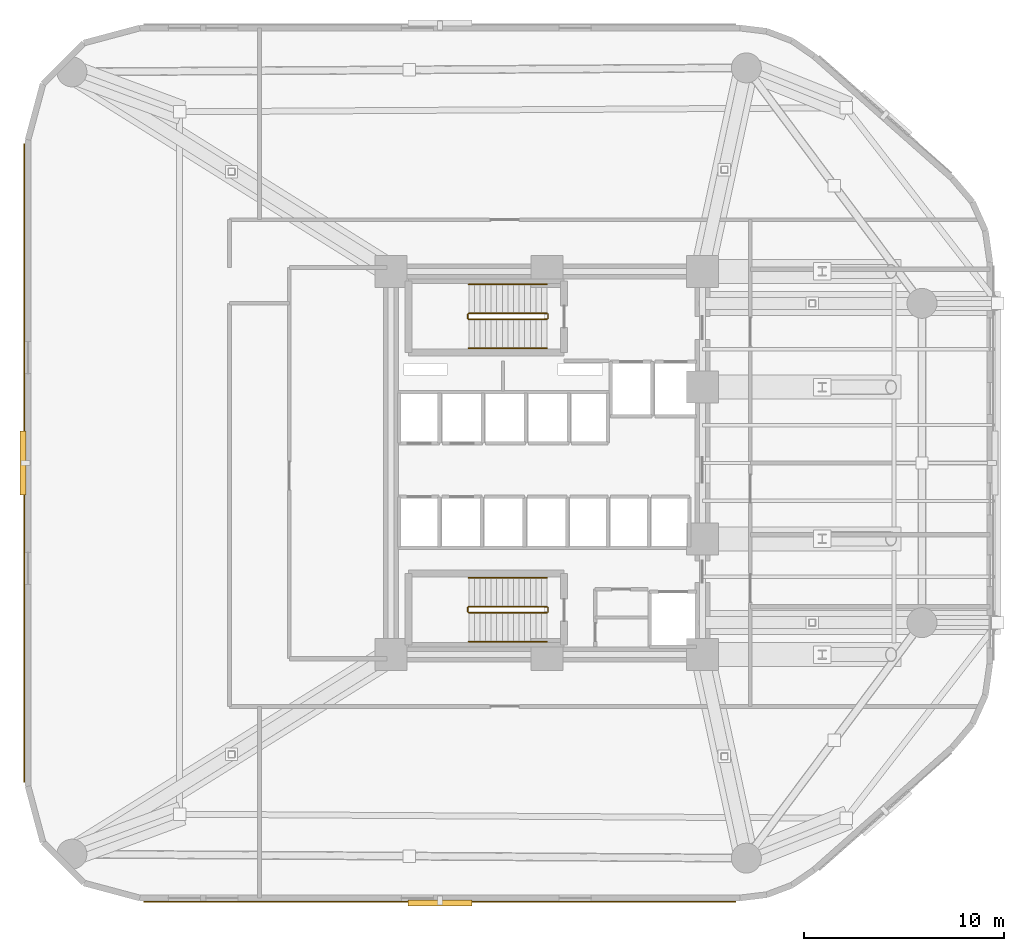
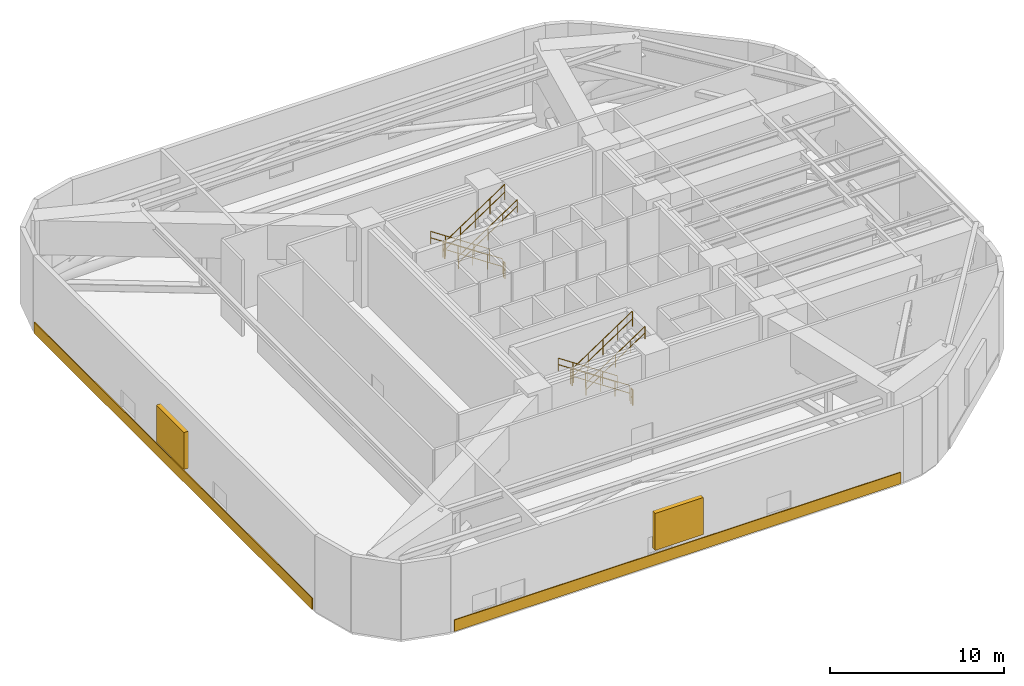
# One storey, part 10 of 11: 12 railings, 2 coverings, 2 shading devices.
"""IFC4 building model written with IfcOpenShell, lengths in metres."""

from ifc_helpers import new_model, si_unit, direction, frame, origin, origin_2d, place, context, subcontext, project, spatial, rectangle, circle, extrude, material, layer, layer_set, type_object, element, save


model = new_model("IFC4")

# Units and contexts
model_context = context("Model", 3, precision=1e-05, world=origin(), true_north=direction((0.0, 1.0)))
body_context = subcontext(model_context, "Body", "Model", "MODEL_VIEW")
ifc_project = project(units=[si_unit("LENGTHUNIT", "METRE"), si_unit("AREAUNIT", "SQUARE_METRE"), si_unit("VOLUMEUNIT", "CUBIC_METRE"), si_unit("PLANEANGLEUNIT", "RADIAN"), si_unit("MASSUNIT", "GRAM", prefix="KILO")], contexts=[model_context])

# Site, building, storey
site_placement = place(None, origin())
site = spatial("IfcSite", under=ifc_project, at=site_placement, CompositionType="ELEMENT")
building_placement = place(site_placement, origin())
building = spatial("IfcBuilding", under=site, at=building_placement, Name="An Khanh Terracotta Commons", CompositionType="ELEMENT")
storey_placement = place(building_placement, frame((0.0, 0.0, 75.60009765625)))
storey = spatial("IfcBuildingStorey", under=building, at=storey_placement, Name="L20", CompositionType="ELEMENT", Elevation=75.60009765625)

# Shading devices
ifc_material_1 = material(Name="Anodised Aluminium 6063-T6", Category="aluminium")
shading_device_type = type_object("IfcShadingDeviceType", Name="Acoustic Plant Weather Louvre", PredefinedType="USERDEFINED", material=ifc_material_1)
for number, where, z_axis, x_axis, name in (
    (1, (24.0400390625, 1.949951171875, 1.199951171875), (0.0, 0.0, 1.0), (1.0, 0.0, 0.0), "L20 Refuge Acoustic Louvre 4"),
    (2, (3.14990234375, 24.0, 1.199951171875), (0.0, 0.0, 1.0), (0.0, -1.0, 0.0), "L20 Refuge Acoustic Louvre 24"),
):
    element("IfcShadingDevice", number, at=place(storey_placement, frame(where, z_axis=z_axis, x_axis=x_axis)), inside=storey, type_object=shading_device_type, Name=name, ObjectType="LOUVRE", PredefinedType="USERDEFINED", context=body_context, shape_type="SweptSolid", body=[
        extrude(rectangle(XDim=3.199951171875, YDim=0.300048828125, at=origin_2d()), origin(), (0.0, 0.0, 1.0), 2.60009765625),
    ])

# Coverings
ifc_material_2 = material(Name="Fired Terracotta Rainscreen Cladding", Category="masonry")
ifc_layer = layer(ifc_material_2, 0.06005859375, Name="Fired Terracotta Rainscreen Cladding")
ifc_layer_set = layer_set([ifc_layer], Name="Fired Terracotta Rainscreen Cladding")
covering_type = type_object("IfcCoveringType", Name="COV-SPANDREL-TERRA", PredefinedType="CLADDING", material=ifc_layer_set)
covering_1_placement = place(storey_placement, frame((24.0400390625, 2.02001953125, 0.02001953125), z_axis=(0.0, 0.0, 1.0), x_axis=(1.0, 0.0, 0.0)))
element("IfcCovering", 3, at=covering_1_placement, inside=storey, type_object=covering_type, Name="L20 Terracotta Spandrel Cladding 4", PredefinedType="CLADDING", context=body_context, shape_type="SweptSolid", body=[
    extrude(rectangle(XDim=29.678955078125, YDim=0.06005859375, at=origin_2d()), origin(), (0.0, 0.0, 1.0), 0.800048828125),
])
covering_2_placement = place(storey_placement, frame((3.219970703125, 24.0, 0.02001953125), z_axis=(0.0, 0.0, 1.0), x_axis=(0.0, -1.0, 0.0)))
element("IfcCovering", 4, at=covering_2_placement, inside=storey, type_object=covering_type, Name="L20 Terracotta Spandrel Cladding 24", PredefinedType="CLADDING", context=body_context, shape_type="SweptSolid", body=[
    extrude(rectangle(XDim=32.0, YDim=0.06005859375, at=origin_2d()), origin(), (0.0, 0.0, 1.0), 0.800048828125),
])

# Railings
ifc_material_3 = material(Name="Brushed Stainless Steel 316", Category="steel")
railing_type_1 = type_object("IfcRailingType", Name="RAIL-HANDRAIL-900", PredefinedType="HANDRAIL", material=ifc_material_3)
railing_1_placement = place(storey_placement, frame((29.409912109375, 32.949951171875, 0.1865234375)))
element("IfcRailing", 5, at=railing_1_placement, inside=storey, type_object=railing_type_1, Name="L20 ST-01 stair handrail 1", PredefinedType="HANDRAIL", context=body_context, shape_type="SweptSolid", body=[
    extrude(circle(Radius=0.02392578125, at=origin_2d()), frame((0.0, 0.0, 0.8759765625), z_axis=(-0.832050294338, 0.0, 0.554700196225), x_axis=(0.0, -1.0, 0.0)), (0.0, 0.0, 1.0), 4.711181640625),
    extrude(circle(Radius=0.02392578125, at=origin_2d()), frame((0.0, 0.0, 0.42578125), z_axis=(-0.832050294338, 0.0, 0.554700196225), x_axis=(0.0, -1.0, 0.0)), (0.0, 0.0, 1.0), 4.711181640625),
    extrude(circle(Radius=0.02099609375, at=origin_2d()), origin(), (0.0, 0.0, 1.0), 0.851806640625),
    extrude(circle(Radius=0.02099609375, at=origin_2d()), frame((-0.97998046875, 0.0, 0.6533203125)), (0.0, 0.0, 1.0), 0.851806640625),
    extrude(circle(Radius=0.02099609375, at=origin_2d()), frame((-1.9599609375, 0.0, 1.306640625)), (0.0, 0.0, 1.0), 0.851806640625),
    extrude(circle(Radius=0.02099609375, at=origin_2d()), frame((-2.93994140625, 0.0, 1.9599609375)), (0.0, 0.0, 1.0), 0.851806640625),
    extrude(circle(Radius=0.02099609375, at=origin_2d()), frame((-3.919921875, 0.0, 2.61328125)), (0.0, 0.0, 1.0), 0.851806640625),
])
railing_2_placement = place(storey_placement, frame((25.489990234375, 29.75, 2.986572265625)))
element("IfcRailing", 6, at=railing_2_placement, inside=storey, type_object=railing_type_1, Name="L20 ST-01 stair handrail 2", PredefinedType="HANDRAIL", context=body_context, shape_type="SweptSolid", body=[
    extrude(circle(Radius=0.02392578125, at=origin_2d()), frame((0.0, 0.0, 0.8759765625), z_axis=(0.832050294338, 0.0, 0.554700196225), x_axis=(0.0, 1.0, 0.0)), (0.0, 0.0, 1.0), 4.711181640625),
    extrude(circle(Radius=0.02392578125, at=origin_2d()), frame((0.0, 0.0, 0.42578125), z_axis=(0.832050294338, 0.0, 0.554700196225), x_axis=(0.0, 1.0, 0.0)), (0.0, 0.0, 1.0), 4.711181640625),
    extrude(circle(Radius=0.02099609375, at=origin_2d()), origin(), (0.0, 0.0, 1.0), 0.851806640625),
    extrude(circle(Radius=0.02099609375, at=origin_2d()), frame((0.97998046875, 0.0, 0.6533203125)), (0.0, 0.0, 1.0), 0.851806640625),
    extrude(circle(Radius=0.02099609375, at=origin_2d()), frame((1.9599609375, 0.0, 1.306640625)), (0.0, 0.0, 1.0), 0.851806640625),
    extrude(circle(Radius=0.02099609375, at=origin_2d()), frame((2.93994140625, 0.0, 1.9599609375)), (0.0, 0.0, 1.0), 0.851806640625),
    extrude(circle(Radius=0.02099609375, at=origin_2d()), frame((3.919921875, 0.0, 2.61328125)), (0.0, 0.0, 1.0), 0.851806640625),
])
railing_3_placement = place(storey_placement, frame((29.409912109375, 18.25, 0.1865234375)))
element("IfcRailing", 7, at=railing_3_placement, inside=storey, type_object=railing_type_1, Name="L20 ST-02 stair handrail 1", PredefinedType="HANDRAIL", context=body_context, shape_type="SweptSolid", body=[
    extrude(circle(Radius=0.02392578125, at=origin_2d()), frame((0.0, 0.0, 0.8759765625), z_axis=(-0.832050294338, 0.0, 0.554700196225), x_axis=(0.0, -1.0, 0.0)), (0.0, 0.0, 1.0), 4.711181640625),
    extrude(circle(Radius=0.02392578125, at=origin_2d()), frame((0.0, 0.0, 0.42578125), z_axis=(-0.832050294338, 0.0, 0.554700196225), x_axis=(0.0, -1.0, 0.0)), (0.0, 0.0, 1.0), 4.711181640625),
    extrude(circle(Radius=0.02099609375, at=origin_2d()), origin(), (0.0, 0.0, 1.0), 0.851806640625),
    extrude(circle(Radius=0.02099609375, at=origin_2d()), frame((-0.97998046875, 0.0, 0.6533203125)), (0.0, 0.0, 1.0), 0.851806640625),
    extrude(circle(Radius=0.02099609375, at=origin_2d()), frame((-1.9599609375, 0.0, 1.306640625)), (0.0, 0.0, 1.0), 0.851806640625),
    extrude(circle(Radius=0.02099609375, at=origin_2d()), frame((-2.93994140625, 0.0, 1.9599609375)), (0.0, 0.0, 1.0), 0.851806640625),
    extrude(circle(Radius=0.02099609375, at=origin_2d()), frame((-3.919921875, 0.0, 2.61328125)), (0.0, 0.0, 1.0), 0.851806640625),
])
railing_4_placement = place(storey_placement, frame((25.489990234375, 15.050048828125, 2.986572265625)))
element("IfcRailing", 8, at=railing_4_placement, inside=storey, type_object=railing_type_1, Name="L20 ST-02 stair handrail 2", PredefinedType="HANDRAIL", context=body_context, shape_type="SweptSolid", body=[
    extrude(circle(Radius=0.02392578125, at=origin_2d()), frame((0.0, 0.0, 0.8759765625), z_axis=(0.832050294338, 0.0, 0.554700196225), x_axis=(0.0, 1.0, 0.0)), (0.0, 0.0, 1.0), 4.711181640625),
    extrude(circle(Radius=0.02392578125, at=origin_2d()), frame((0.0, 0.0, 0.42578125), z_axis=(0.832050294338, 0.0, 0.554700196225), x_axis=(0.0, 1.0, 0.0)), (0.0, 0.0, 1.0), 4.711181640625),
    extrude(circle(Radius=0.02099609375, at=origin_2d()), origin(), (0.0, 0.0, 1.0), 0.851806640625),
    extrude(circle(Radius=0.02099609375, at=origin_2d()), frame((0.97998046875, 0.0, 0.6533203125)), (0.0, 0.0, 1.0), 0.851806640625),
    extrude(circle(Radius=0.02099609375, at=origin_2d()), frame((1.9599609375, 0.0, 1.306640625)), (0.0, 0.0, 1.0), 0.851806640625),
    extrude(circle(Radius=0.02099609375, at=origin_2d()), frame((2.93994140625, 0.0, 1.9599609375)), (0.0, 0.0, 1.0), 0.851806640625),
    extrude(circle(Radius=0.02099609375, at=origin_2d()), frame((3.919921875, 0.0, 2.61328125)), (0.0, 0.0, 1.0), 0.851806640625),
])
ifc_material_4 = material(Name="Powder-Coated Steel S355J2", Category="steel")
railing_type_2 = type_object("IfcRailingType", Name="RAIL-STAIR-GUARD-1100", PredefinedType="BALUSTRADE", material=ifc_material_4)
railing_5_placement = place(storey_placement, frame((29.409912109375, 31.5, 0.1865234375)))
element("IfcRailing", 9, at=railing_5_placement, inside=storey, type_object=railing_type_2, Name="L20 ST-01 stair guard 1", PredefinedType="BALUSTRADE", context=body_context, shape_type="SweptSolid", body=[
    extrude(circle(Radius=0.02392578125, at=origin_2d()), frame((0.0, 0.0, 1.076171875), z_axis=(-0.832050294338, 0.0, 0.554700196225), x_axis=(0.0, -1.0, 0.0)), (0.0, 0.0, 1.0), 4.711181640625),
    extrude(circle(Radius=0.02392578125, at=origin_2d()), frame((0.0, 0.0, 0.52587890625), z_axis=(-0.832050294338, 0.0, 0.554700196225), x_axis=(0.0, -1.0, 0.0)), (0.0, 0.0, 1.0), 4.711181640625),
    extrude(circle(Radius=0.02099609375, at=origin_2d()), origin(), (0.0, 0.0, 1.0), 1.052001953125),
    extrude(circle(Radius=0.02099609375, at=origin_2d()), frame((-0.97998046875, 0.0, 0.6533203125)), (0.0, 0.0, 1.0), 1.052001953125),
    extrude(circle(Radius=0.02099609375, at=origin_2d()), frame((-1.9599609375, 0.0, 1.306640625)), (0.0, 0.0, 1.0), 1.052001953125),
    extrude(circle(Radius=0.02099609375, at=origin_2d()), frame((-2.93994140625, 0.0, 1.9599609375)), (0.0, 0.0, 1.0), 1.052001953125),
    extrude(circle(Radius=0.02099609375, at=origin_2d()), frame((-3.919921875, 0.0, 2.61328125)), (0.0, 0.0, 1.0), 1.052001953125),
])
railing_6_placement = place(storey_placement, frame((25.43994140625, 31.449951171875, 2.7998046875)))
element("IfcRailing", 10, at=railing_6_placement, inside=storey, type_object=railing_type_2, Name="L20 ST-01 stair guard 2", PredefinedType="BALUSTRADE", context=body_context, shape_type="SweptSolid", body=[
    extrude(circle(Radius=0.02392578125, at=origin_2d()), frame((0.0, 0.0, 1.076171875), z_axis=(0.0, -1.0, 0.0), x_axis=(1.0, 0.0, 0.0)), (0.0, 0.0, 1.0), 0.199951171875),
    extrude(circle(Radius=0.02392578125, at=origin_2d()), frame((0.0, 0.0, 0.52587890625), z_axis=(0.0, -1.0, 0.0), x_axis=(1.0, 0.0, 0.0)), (0.0, 0.0, 1.0), 0.199951171875),
    extrude(circle(Radius=0.02099609375, at=origin_2d()), origin(), (0.0, 0.0, 1.0), 1.052001953125),
    extrude(circle(Radius=0.02099609375, at=origin_2d()), frame((0.0, -0.199951171875, 0.0)), (0.0, 0.0, 1.0), 1.052001953125),
])
railing_7_placement = place(storey_placement, frame((25.489990234375, 31.199951171875, 2.986572265625)))
element("IfcRailing", 11, at=railing_7_placement, inside=storey, type_object=railing_type_2, Name="L20 ST-01 stair guard 3", PredefinedType="BALUSTRADE", context=body_context, shape_type="SweptSolid", body=[
    extrude(circle(Radius=0.02392578125, at=origin_2d()), frame((0.0, 0.0, 1.076171875), z_axis=(0.832050294338, 0.0, 0.554700196225), x_axis=(0.0, 1.0, 0.0)), (0.0, 0.0, 1.0), 4.711181640625),
    extrude(circle(Radius=0.02392578125, at=origin_2d()), frame((0.0, 0.0, 0.52587890625), z_axis=(0.832050294338, 0.0, 0.554700196225), x_axis=(0.0, 1.0, 0.0)), (0.0, 0.0, 1.0), 4.711181640625),
    extrude(circle(Radius=0.02099609375, at=origin_2d()), origin(), (0.0, 0.0, 1.0), 1.052001953125),
    extrude(circle(Radius=0.02099609375, at=origin_2d()), frame((0.97998046875, 0.0, 0.6533203125)), (0.0, 0.0, 1.0), 1.052001953125),
    extrude(circle(Radius=0.02099609375, at=origin_2d()), frame((1.9599609375, 0.0, 1.306640625)), (0.0, 0.0, 1.0), 1.052001953125),
    extrude(circle(Radius=0.02099609375, at=origin_2d()), frame((2.93994140625, 0.0, 1.9599609375)), (0.0, 0.0, 1.0), 1.052001953125),
    extrude(circle(Radius=0.02099609375, at=origin_2d()), frame((3.919921875, 0.0, 2.61328125)), (0.0, 0.0, 1.0), 1.052001953125),
])
railing_8_placement = place(storey_placement, frame((29.4599609375, 31.449951171875, 0.0)))
element("IfcRailing", 12, at=railing_8_placement, inside=storey, type_object=railing_type_2, Name="L20 ST-01 stair guard 4", PredefinedType="BALUSTRADE", context=body_context, shape_type="SweptSolid", body=[
    extrude(circle(Radius=0.02392578125, at=origin_2d()), frame((0.0, 0.0, 1.076171875), z_axis=(0.0, -1.0, 0.0), x_axis=(1.0, 0.0, 0.0)), (0.0, 0.0, 1.0), 0.199951171875),
    extrude(circle(Radius=0.02392578125, at=origin_2d()), frame((0.0, 0.0, 0.52587890625), z_axis=(0.0, -1.0, 0.0), x_axis=(1.0, 0.0, 0.0)), (0.0, 0.0, 1.0), 0.199951171875),
    extrude(circle(Radius=0.02099609375, at=origin_2d()), origin(), (0.0, 0.0, 1.0), 1.052001953125),
    extrude(circle(Radius=0.02099609375, at=origin_2d()), frame((0.0, -0.199951171875, 0.0)), (0.0, 0.0, 1.0), 1.052001953125),
])
railing_9_placement = place(storey_placement, frame((29.409912109375, 16.800048828125, 0.1865234375)))
element("IfcRailing", 13, at=railing_9_placement, inside=storey, type_object=railing_type_2, Name="L20 ST-02 stair guard 1", PredefinedType="BALUSTRADE", context=body_context, shape_type="SweptSolid", body=[
    extrude(circle(Radius=0.02392578125, at=origin_2d()), frame((0.0, 0.0, 1.076171875), z_axis=(-0.832050294338, 0.0, 0.554700196225), x_axis=(0.0, -1.0, 0.0)), (0.0, 0.0, 1.0), 4.711181640625),
    extrude(circle(Radius=0.02392578125, at=origin_2d()), frame((0.0, 0.0, 0.52587890625), z_axis=(-0.832050294338, 0.0, 0.554700196225), x_axis=(0.0, -1.0, 0.0)), (0.0, 0.0, 1.0), 4.711181640625),
    extrude(circle(Radius=0.02099609375, at=origin_2d()), origin(), (0.0, 0.0, 1.0), 1.052001953125),
    extrude(circle(Radius=0.02099609375, at=origin_2d()), frame((-0.97998046875, 0.0, 0.6533203125)), (0.0, 0.0, 1.0), 1.052001953125),
    extrude(circle(Radius=0.02099609375, at=origin_2d()), frame((-1.9599609375, 0.0, 1.306640625)), (0.0, 0.0, 1.0), 1.052001953125),
    extrude(circle(Radius=0.02099609375, at=origin_2d()), frame((-2.93994140625, 0.0, 1.9599609375)), (0.0, 0.0, 1.0), 1.052001953125),
    extrude(circle(Radius=0.02099609375, at=origin_2d()), frame((-3.919921875, 0.0, 2.61328125)), (0.0, 0.0, 1.0), 1.052001953125),
])
railing_10_placement = place(storey_placement, frame((25.43994140625, 16.75, 2.7998046875)))
element("IfcRailing", 14, at=railing_10_placement, inside=storey, type_object=railing_type_2, Name="L20 ST-02 stair guard 2", PredefinedType="BALUSTRADE", context=body_context, shape_type="SweptSolid", body=[
    extrude(circle(Radius=0.02392578125, at=origin_2d()), frame((0.0, 0.0, 1.076171875), z_axis=(0.0, -1.0, 0.0), x_axis=(1.0, 0.0, 0.0)), (0.0, 0.0, 1.0), 0.199951171875),
    extrude(circle(Radius=0.02392578125, at=origin_2d()), frame((0.0, 0.0, 0.52587890625), z_axis=(0.0, -1.0, 0.0), x_axis=(1.0, 0.0, 0.0)), (0.0, 0.0, 1.0), 0.199951171875),
    extrude(circle(Radius=0.02099609375, at=origin_2d()), origin(), (0.0, 0.0, 1.0), 1.052001953125),
    extrude(circle(Radius=0.02099609375, at=origin_2d()), frame((0.0, -0.199951171875, 0.0)), (0.0, 0.0, 1.0), 1.052001953125),
])
railing_11_placement = place(storey_placement, frame((25.489990234375, 16.5, 2.986572265625)))
element("IfcRailing", 15, at=railing_11_placement, inside=storey, type_object=railing_type_2, Name="L20 ST-02 stair guard 3", PredefinedType="BALUSTRADE", context=body_context, shape_type="SweptSolid", body=[
    extrude(circle(Radius=0.02392578125, at=origin_2d()), frame((0.0, 0.0, 1.076171875), z_axis=(0.832050294338, 0.0, 0.554700196225), x_axis=(0.0, 1.0, 0.0)), (0.0, 0.0, 1.0), 4.711181640625),
    extrude(circle(Radius=0.02392578125, at=origin_2d()), frame((0.0, 0.0, 0.52587890625), z_axis=(0.832050294338, 0.0, 0.554700196225), x_axis=(0.0, 1.0, 0.0)), (0.0, 0.0, 1.0), 4.711181640625),
    extrude(circle(Radius=0.02099609375, at=origin_2d()), origin(), (0.0, 0.0, 1.0), 1.052001953125),
    extrude(circle(Radius=0.02099609375, at=origin_2d()), frame((0.97998046875, 0.0, 0.6533203125)), (0.0, 0.0, 1.0), 1.052001953125),
    extrude(circle(Radius=0.02099609375, at=origin_2d()), frame((1.9599609375, 0.0, 1.306640625)), (0.0, 0.0, 1.0), 1.052001953125),
    extrude(circle(Radius=0.02099609375, at=origin_2d()), frame((2.93994140625, 0.0, 1.9599609375)), (0.0, 0.0, 1.0), 1.052001953125),
    extrude(circle(Radius=0.02099609375, at=origin_2d()), frame((3.919921875, 0.0, 2.61328125)), (0.0, 0.0, 1.0), 1.052001953125),
])
railing_12_placement = place(storey_placement, frame((29.4599609375, 16.75, 0.0)))
element("IfcRailing", 16, at=railing_12_placement, inside=storey, type_object=railing_type_2, Name="L20 ST-02 stair guard 4", PredefinedType="BALUSTRADE", context=body_context, shape_type="SweptSolid", body=[
    extrude(circle(Radius=0.02392578125, at=origin_2d()), frame((0.0, 0.0, 1.076171875), z_axis=(0.0, -1.0, 0.0), x_axis=(1.0, 0.0, 0.0)), (0.0, 0.0, 1.0), 0.199951171875),
    extrude(circle(Radius=0.02392578125, at=origin_2d()), frame((0.0, 0.0, 0.52587890625), z_axis=(0.0, -1.0, 0.0), x_axis=(1.0, 0.0, 0.0)), (0.0, 0.0, 1.0), 0.199951171875),
    extrude(circle(Radius=0.02099609375, at=origin_2d()), origin(), (0.0, 0.0, 1.0), 1.052001953125),
    extrude(circle(Radius=0.02099609375, at=origin_2d()), frame((0.0, -0.199951171875, 0.0)), (0.0, 0.0, 1.0), 1.052001953125),
])

save(model, "model.ifc")
